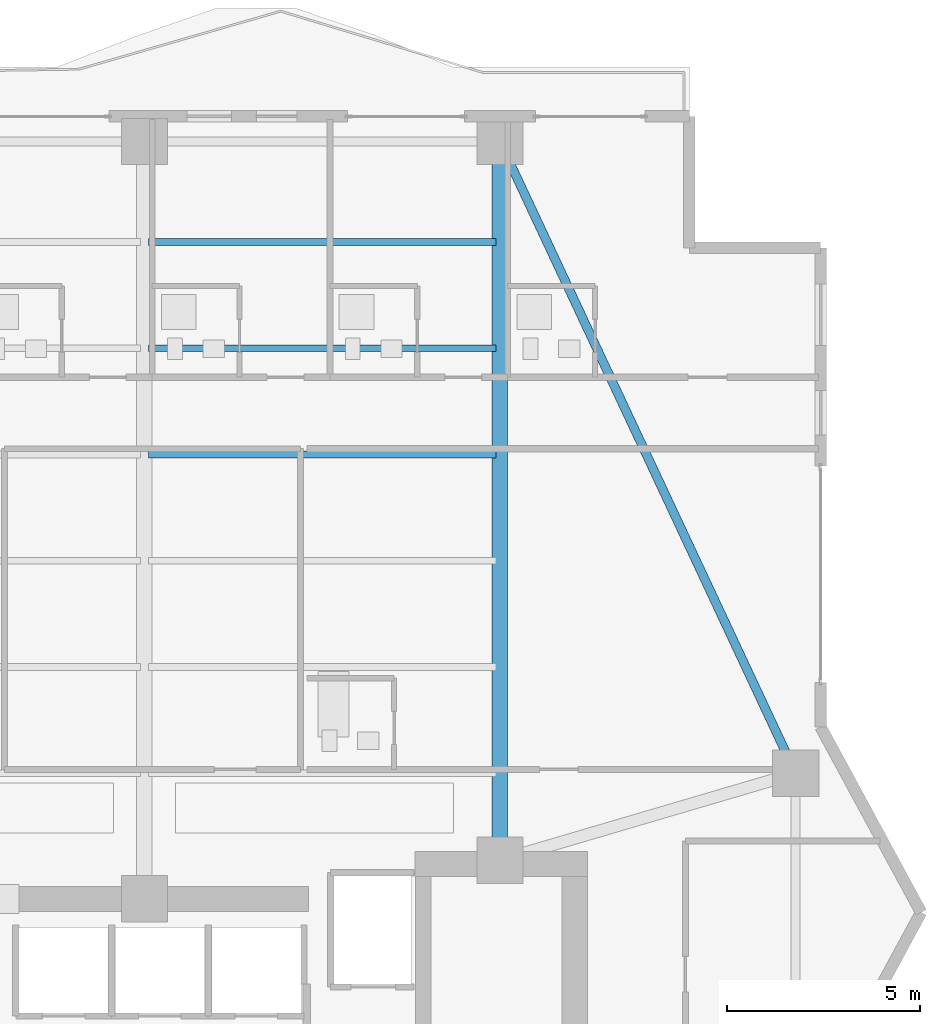
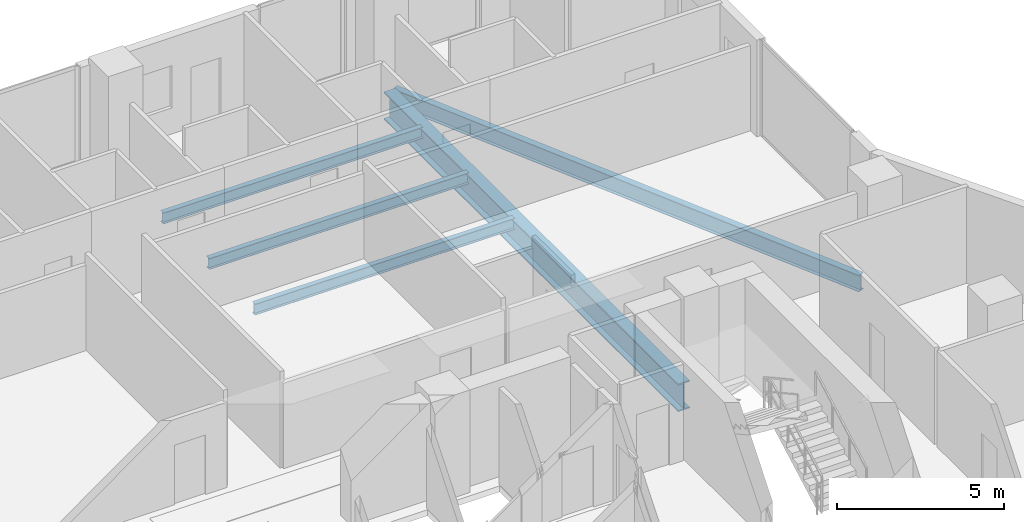
# One storey, part 20 of 32: 5 beams.
"""IFC4 building model written with IfcOpenShell, lengths in metres."""

from ifc_helpers import new_model, si_unit, direction, frame, origin, origin_2d, place, context, subcontext, project, spatial, i_section, extrude, material, material_profile, profile_set, type_object, element, save


model = new_model("IFC4")

# Units and contexts
model_context = context("Model", 3, precision=1e-05, world=origin(), true_north=direction((0.0, 1.0)))
body_context = subcontext(model_context, "Body", "Model", "MODEL_VIEW")
ifc_project = project(units=[si_unit("LENGTHUNIT", "METRE"), si_unit("AREAUNIT", "SQUARE_METRE"), si_unit("VOLUMEUNIT", "CUBIC_METRE"), si_unit("PLANEANGLEUNIT", "RADIAN"), si_unit("MASSUNIT", "GRAM", prefix="KILO")], contexts=[model_context])

# Site, building, storey
site_placement = place(None, origin())
site = spatial("IfcSite", under=ifc_project, at=site_placement, CompositionType="ELEMENT")
building_placement = place(site_placement, origin())
building = spatial("IfcBuilding", under=site, at=building_placement, Name="Zuhayl Quay Hotel", CompositionType="ELEMENT")
storey_placement = place(building_placement, frame((0.0, 0.0, 226.14990234375)))
storey = spatial("IfcBuildingStorey", under=building, at=storey_placement, Name="L57", CompositionType="ELEMENT", Elevation=226.14990234375)

# Beams
ifc_material = material(Name="Steel ASTM A992 Grade 50", Category="steel")
ifc_material_profile_1 = material_profile(ifc_material, i_section(OverallWidth=0.22802734375, OverallDepth=0.60693359375, WebThickness=0.01123046875, FlangeThickness=0.017333984375, at=origin_2d()), Name="W24X76")
ifc_profile_set_1 = profile_set([ifc_material_profile_1], Name="Steel ASTM A992 Grade 50")
beam_type_1 = type_object("IfcBeamType", Name="BM_B3_W24X76", PredefinedType="BEAM", material=ifc_profile_set_1)
beam_1_placement = place(storey_placement, frame((21.238037109375, 17.052978515625, -0.5234375), z_axis=(-0.423792164429, 0.905759461098, 0.0), x_axis=(-0.905759461098, -0.423792164429, 0.0)))
element("IfcBeam", 1, at=beam_1_placement, inside=storey, type_object=beam_type_1, Name="L57 Floor Beam RG_L57_06", PredefinedType="BEAM", context=body_context, shape_type="SweptSolid", body=[
    extrude(i_section(OverallWidth=0.22802734375, OverallDepth=0.60693359375, WebThickness=0.01123046875, FlangeThickness=0.017333984375, at=origin_2d()), origin(), (0.0, 0.0, 1.0), 17.051025390625),
])
ifc_material_profile_2 = material_profile(ifc_material, i_section(OverallWidth=0.177978515625, OverallDepth=0.406005859375, WebThickness=0.0078125, FlangeThickness=0.0126953125, at=origin_2d()), Name="W16X40")
ifc_profile_set_2 = profile_set([ifc_material_profile_2], Name="Steel ASTM A992 Grade 50")
beam_type_2 = type_object("IfcBeamType", Name="BM_J2B_W16X40", PredefinedType="JOIST", material=ifc_profile_set_2)
for number, where, z_axis, x_axis, name in (
    (2, (4.7060546875, 24.85009765625, -0.4228515625), (1.0, 0.0, 0.0), (0.0, 1.0, 0.0), "L57 Floor Beam FJ_L57_4_3"),
    (3, (4.7060546875, 27.60009765625, -0.4228515625), (1.0, 0.0, 0.0), (0.0, 1.0, 0.0), "L57 Floor Beam FJ_L57_5_3"),
    (4, (4.7060546875, 30.35009765625, -0.4228515625), (1.0, 0.0, 0.0), (0.0, 1.0, 0.0), "L57 Floor Beam FJ_L57_6_3"),
):
    element("IfcBeam", number, at=place(storey_placement, frame(where, z_axis=z_axis, x_axis=x_axis)), inside=storey, type_object=beam_type_2, Name=name, PredefinedType="JOIST", context=body_context, shape_type="SweptSolid", body=[
        extrude(i_section(OverallWidth=0.177978515625, OverallDepth=0.406005859375, WebThickness=0.0078125, FlangeThickness=0.0126953125, at=origin_2d()), origin(), (0.0, 0.0, 1.0), 8.988037109375),
    ])
ifc_material_profile_3 = material_profile(ifc_material, i_section(OverallWidth=0.40087890625, OverallDepth=1.010986328125, WebThickness=0.023681640625, FlangeThickness=0.0419921875, at=origin_2d()), Name="W40X297")
ifc_profile_set_3 = profile_set([ifc_material_profile_3], Name="Steel ASTM A992 Grade 50")
beam_type_3 = type_object("IfcBeamType", Name="BM_TG2_W40X297", PredefinedType="BEAM", material=ifc_profile_set_3)
beam_2_placement = place(storey_placement, frame((13.800048828125, 14.800048828125, -0.725341796875), z_axis=(0.0, 1.0, 0.0), x_axis=(-1.0, 0.0, 0.0)))
element("IfcBeam", 5, at=beam_2_placement, inside=storey, type_object=beam_type_3, Name="L57 Floor Beam FG_N_L57_4", PredefinedType="BEAM", context=body_context, shape_type="SweptSolid", body=[
    extrude(i_section(OverallWidth=0.40087890625, OverallDepth=1.010986328125, WebThickness=0.023681640625, FlangeThickness=0.0419921875, at=origin_2d()), origin(), (0.0, 0.0, 1.0), 17.64990234375),
])

save(model, "model.ifc")
